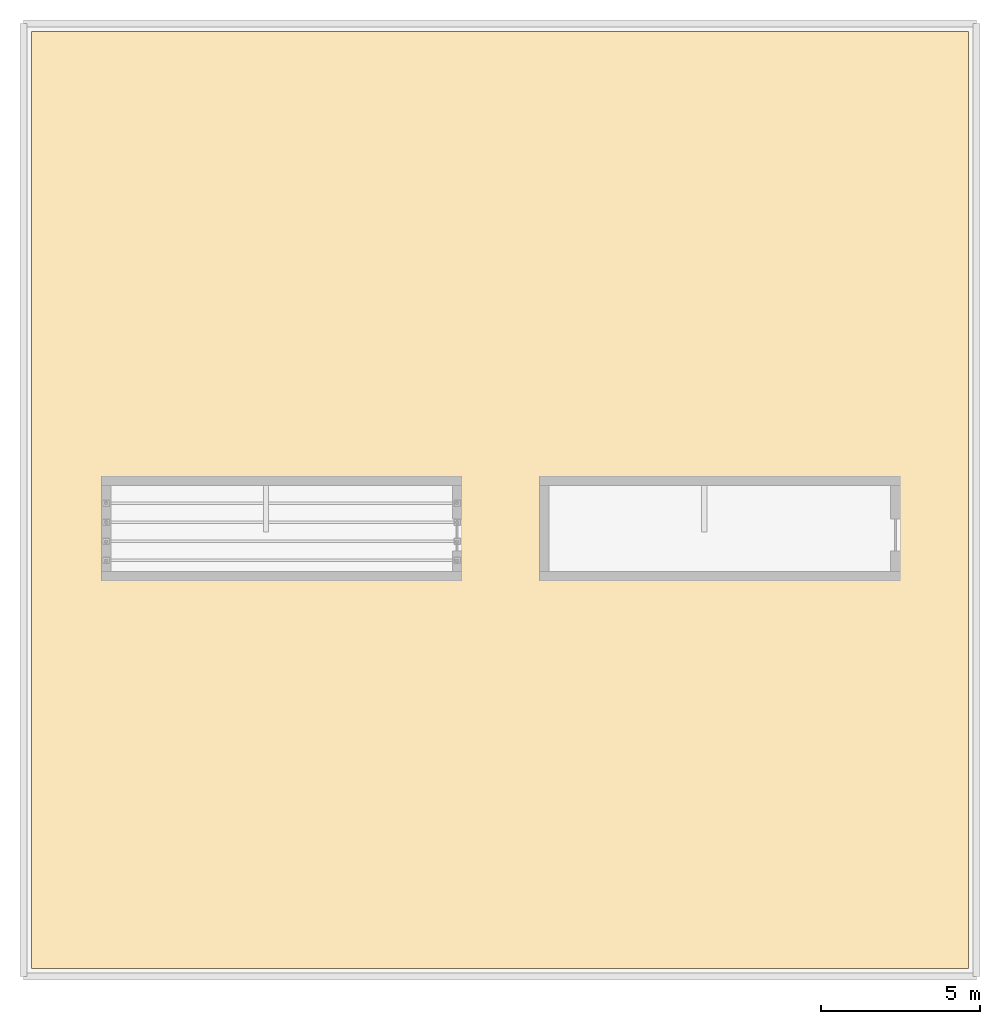
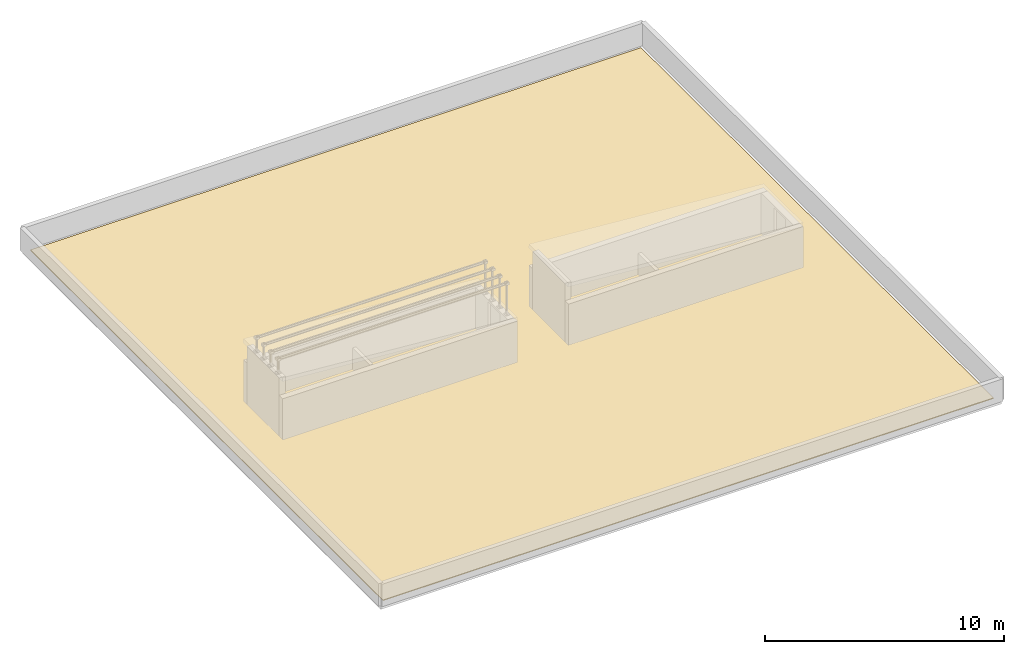
# One storey, part 3 of 3: 1 covering, 1 element without a shape of its own.
"""IFC4 building model written with IfcOpenShell, lengths in metres."""

from ifc_helpers import new_model, si_unit, direction, frame, origin, place, context, subcontext, project, spatial, polyline, outline, extrude, material, layer, layer_set, type_object, element, aggregate, save


model = new_model("IFC4")

# Units and contexts
model_context = context("Model", 3, precision=1e-05, world=origin(), true_north=direction((0.0, 1.0)))
body_context = subcontext(model_context, "Body", "Model", "MODEL_VIEW")
ifc_project = project(units=[si_unit("LENGTHUNIT", "METRE"), si_unit("AREAUNIT", "SQUARE_METRE"), si_unit("VOLUMEUNIT", "CUBIC_METRE"), si_unit("PLANEANGLEUNIT", "RADIAN"), si_unit("MASSUNIT", "GRAM", prefix="KILO"), si_unit("POWERUNIT", "WATT"), si_unit("THERMODYNAMICTEMPERATUREUNIT", "KELVIN")], contexts=[model_context])

# Site, building, storey
site_placement = place(None, origin())
site = spatial("IfcSite", under=ifc_project, at=site_placement, CompositionType="ELEMENT")
building_placement = place(site_placement, origin())
building = spatial("IfcBuilding", under=site, at=building_placement, Name="Ruvembo Vaulted Housing Court", CompositionType="ELEMENT")
storey_placement = place(building_placement, frame((0.0, 0.0, 46.10009765625)))
storey = spatial("IfcBuildingStorey", under=building, at=storey_placement, Name="RF", CompositionType="ELEMENT", Elevation=46.10009765625)

# Roof, covering
ifc_material_1 = material(Name="Concrete C30/37", Category="concrete")
ifc_layer_1 = layer(ifc_material_1, 0.195068359375, Name="Concrete C30/37")
ifc_layer_set_1 = layer_set([ifc_layer_1], Name="Concrete C30/37")
roof_type = type_object("IfcRoofType", Name="ROOF-FLAT-A", PredefinedType="FLAT_ROOF", material=ifc_layer_set_1)
roof_placement = place(storey_placement, origin())
roof = element("IfcRoof", 1, at=roof_placement, inside=storey, type_object=roof_type, Name="Block A Flat Roof Assembly", PredefinedType="FLAT_ROOF")
ifc_material_2 = material(Name="TPO Waterproofing and Terracotta Tile", Category="masonry")
ifc_layer_2 = layer(ifc_material_2, 0.044921875, Name="TPO Waterproofing and Terracotta Tile")
ifc_layer_set_2 = layer_set([ifc_layer_2], Name="TPO Waterproofing and Terracotta Tile")
covering_type = type_object("IfcCoveringType", Name="COV-ROOF-MEMB", PredefinedType="ROOFING", material=ifc_layer_set_2)
covering_placement = place(storey_placement, origin())
covering = element("IfcCovering", 2, at=covering_placement, type_object=covering_type, Name="Block A RF Insulated Roof Waterproofing", PredefinedType="ROOFING", context=body_context, shape_type="SweptSolid", body=[
    extrude(outline(polyline([(0.25, 6.25), (29.75, 6.25), (29.75, 35.75), (0.25, 35.75), (0.25, 6.25)])), origin(), (0.0, 0.0, 1.0), 0.044921875),
])
aggregate(roof, [covering])

save(model, "model.ifc")
